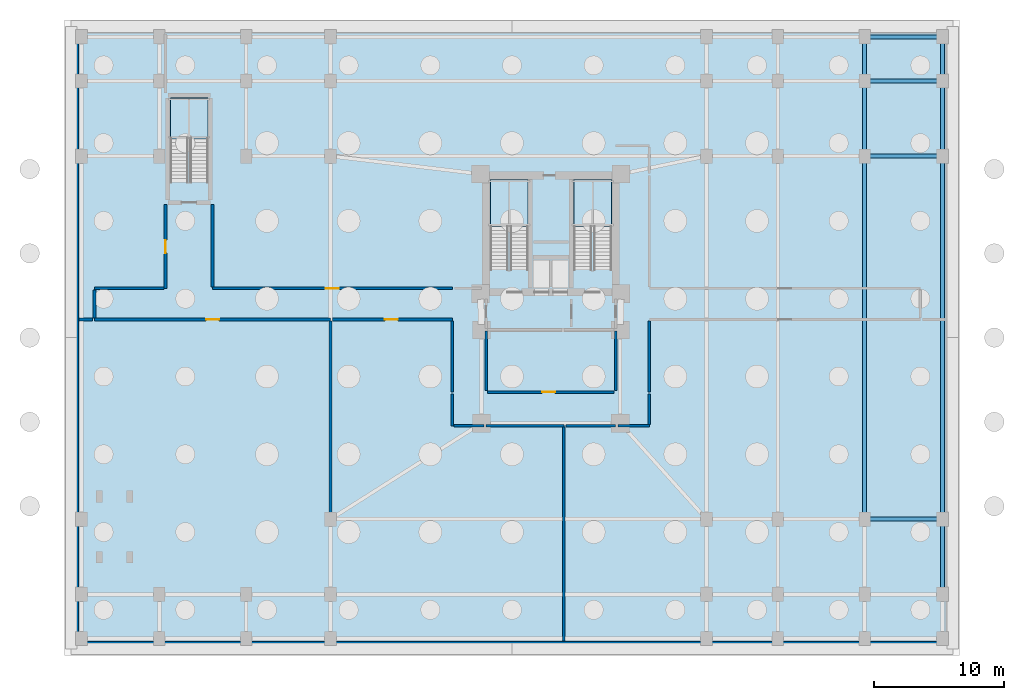
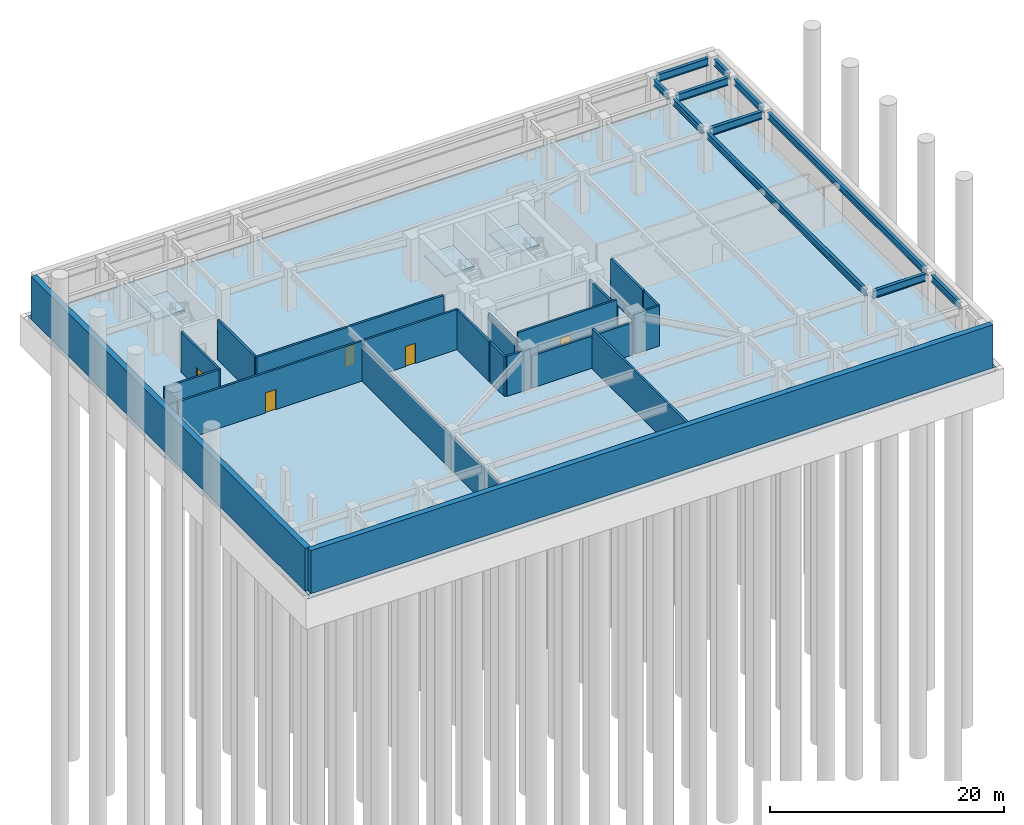
# One storey, part 3 of 7: 23 walls, 11 beams, 5 doors, 4 slabs, 5 openings, 3 elements without a shape of their own.
"""IFC4 building model written with IfcOpenShell, lengths in metres."""

from ifc_helpers import new_model, si_unit, direction, frame, frame_2d, origin, origin_2d, place, context, subcontext, project, spatial, polyline, rectangle, i_section, outline, extrude, material, layer, layer_set, material_profile, profile_set, type_object, element, fill, aggregate, save


model = new_model("IFC4")

# Units and contexts
model_context = context("Model", 3, precision=1e-05, world=origin(), true_north=direction((0.0, 1.0)))
body_context = subcontext(model_context, "Body", "Model", "MODEL_VIEW")
ifc_project = project(units=[si_unit("LENGTHUNIT", "METRE"), si_unit("AREAUNIT", "SQUARE_METRE"), si_unit("VOLUMEUNIT", "CUBIC_METRE"), si_unit("PLANEANGLEUNIT", "RADIAN"), si_unit("MASSUNIT", "GRAM", prefix="KILO")], contexts=[model_context])

# Site, building, storey
site_placement = place(None, origin())
site = spatial("IfcSite", under=ifc_project, at=site_placement, CompositionType="ELEMENT")
building_placement = place(site_placement, origin())
building = spatial("IfcBuilding", under=site, at=building_placement, Name="Varnakorn Sky Granary", CompositionType="ELEMENT")
storey_placement = place(building_placement, frame((0.0, 0.0, -13.5)))
storey = spatial("IfcBuildingStorey", under=building, at=storey_placement, Name="B03", CompositionType="ELEMENT", Elevation=-13.5)

# Beams
ifc_material_1 = material(Name="Steel S355JR", Category="steel")
ifc_material_profile_1 = material_profile(ifc_material_1, i_section(OverallWidth=0.300048828125, OverallDepth=0.699951171875, WebThickness=0.01708984375, FlangeThickness=0.031982421875, at=origin_2d()), Name="HE 700 B")
ifc_profile_set_1 = profile_set([ifc_material_profile_1], Name="Steel S355JR")
beam_type_1 = type_object("IfcBeamType", Name="BM-PG-700", PredefinedType="T_BEAM", material=ifc_profile_set_1)
beam_1_placement = place(storey_placement, frame((27.199951171875, -13.580078125, 3.830078125), z_axis=(0.0, 1.0, 0.0), x_axis=(-1.0, 0.0, 0.0)))
element("IfcBeam", 1, at=beam_1_placement, inside=storey, type_object=beam_type_1, Name="Podium Y-Girder GY67 B03", PredefinedType="T_BEAM", context=body_context, shape_type="SweptSolid", body=[
    extrude(i_section(OverallWidth=0.300048828125, OverallDepth=0.699951171875, WebThickness=0.01708984375, FlangeThickness=0.031982421875, at=origin_2d()), origin(), (0.0, 0.0, 1.0), 27.16015625),
])
beam_2_placement = place(storey_placement, frame((27.199951171875, 14.419921875, 3.830078125), z_axis=(0.0, 1.0, 0.0), x_axis=(-1.0, 0.0, 0.0)))
element("IfcBeam", 2, at=beam_2_placement, inside=storey, type_object=beam_type_1, Name="Podium Y-Girder GY68 B03", PredefinedType="T_BEAM", context=body_context, shape_type="SweptSolid", body=[
    extrude(i_section(OverallWidth=0.300048828125, OverallDepth=0.699951171875, WebThickness=0.01708984375, FlangeThickness=0.031982421875, at=origin_2d()), origin(), (0.0, 0.0, 1.0), 4.9599609375),
])
beam_3_placement = place(storey_placement, frame((27.199951171875, 20.219970703125, 3.830078125), z_axis=(0.0, 1.0, 0.0), x_axis=(-1.0, 0.0, 0.0)))
element("IfcBeam", 3, at=beam_3_placement, inside=storey, type_object=beam_type_1, Name="Podium Y-Girder GY69 B03", PredefinedType="T_BEAM", context=body_context, shape_type="SweptSolid", body=[
    extrude(i_section(OverallWidth=0.300048828125, OverallDepth=0.699951171875, WebThickness=0.01708984375, FlangeThickness=0.031982421875, at=origin_2d()), origin(), (0.0, 0.0, 1.0), 2.56005859375),
])
beam_4_placement = place(storey_placement, frame((33.199951171875, -19.3798828125, 3.830078125), z_axis=(0.0, 1.0, 0.0), x_axis=(-1.0, 0.0, 0.0)))
element("IfcBeam", 4, at=beam_4_placement, inside=storey, type_object=beam_type_1, Name="Podium Y-Girder GY71 B03", PredefinedType="T_BEAM", context=body_context, shape_type="SweptSolid", body=[
    extrude(i_section(OverallWidth=0.300048828125, OverallDepth=0.699951171875, WebThickness=0.01708984375, FlangeThickness=0.031982421875, at=origin_2d()), origin(), (0.0, 0.0, 1.0), 4.9599609375),
])
beam_5_placement = place(storey_placement, frame((33.199951171875, -13.580078125, 3.830078125), z_axis=(0.0, 1.0, 0.0), x_axis=(-1.0, 0.0, 0.0)))
element("IfcBeam", 5, at=beam_5_placement, inside=storey, type_object=beam_type_1, Name="Podium Y-Girder GY72 B03", PredefinedType="T_BEAM", context=body_context, shape_type="SweptSolid", body=[
    extrude(i_section(OverallWidth=0.300048828125, OverallDepth=0.699951171875, WebThickness=0.01708984375, FlangeThickness=0.031982421875, at=origin_2d()), origin(), (0.0, 0.0, 1.0), 27.16015625),
])
beam_6_placement = place(storey_placement, frame((33.199951171875, 14.419921875, 3.830078125), z_axis=(0.0, 1.0, 0.0), x_axis=(-1.0, 0.0, 0.0)))
element("IfcBeam", 6, at=beam_6_placement, inside=storey, type_object=beam_type_1, Name="Podium Y-Girder GY73 B03", PredefinedType="T_BEAM", context=body_context, shape_type="SweptSolid", body=[
    extrude(i_section(OverallWidth=0.300048828125, OverallDepth=0.699951171875, WebThickness=0.01708984375, FlangeThickness=0.031982421875, at=origin_2d()), origin(), (0.0, 0.0, 1.0), 4.9599609375),
])
beam_7_placement = place(storey_placement, frame((33.199951171875, 20.219970703125, 3.830078125), z_axis=(0.0, 1.0, 0.0), x_axis=(-1.0, 0.0, 0.0)))
element("IfcBeam", 7, at=beam_7_placement, inside=storey, type_object=beam_type_1, Name="Podium Y-Girder GY74 B03", PredefinedType="T_BEAM", context=body_context, shape_type="SweptSolid", body=[
    extrude(i_section(OverallWidth=0.300048828125, OverallDepth=0.699951171875, WebThickness=0.01708984375, FlangeThickness=0.031982421875, at=origin_2d()), origin(), (0.0, 0.0, 1.0), 2.56005859375),
])
ifc_material_profile_2 = material_profile(ifc_material_1, i_section(OverallWidth=0.300048828125, OverallDepth=0.800048828125, WebThickness=0.017578125, FlangeThickness=0.032958984375, at=origin_2d()), Name="HE 800 B")
ifc_profile_set_2 = profile_set([ifc_material_profile_2], Name="Steel S355JR")
beam_type_2 = type_object("IfcBeamType", Name="BM-PG-800", PredefinedType="BEAM", material=ifc_profile_set_2)
for number, where, z_axis, x_axis, name in (
    (8, (27.6201171875, -14.0, 3.780029296875), (1.0, 0.0, 0.0), (0.0, 1.0, 0.0), "Podium X-Girder GX18 B03"),
    (9, (27.6201171875, 14.0, 3.780029296875), (1.0, 0.0, 0.0), (0.0, 1.0, 0.0), "Podium X-Girder GX24 B03"),
    (10, (27.6201171875, 19.800048828125, 3.780029296875), (1.0, 0.0, 0.0), (0.0, 1.0, 0.0), "Podium X-Girder GX31 B03"),
    (11, (27.6201171875, 23.199951171875, 3.780029296875), (1.0, 0.0, 0.0), (0.0, 1.0, 0.0), "Podium X-Girder GX38 B03"),
):
    element("IfcBeam", number, at=place(storey_placement, frame(where, z_axis=z_axis, x_axis=x_axis)), inside=storey, type_object=beam_type_2, Name=name, PredefinedType="BEAM", context=body_context, shape_type="SweptSolid", body=[
        extrude(i_section(OverallWidth=0.300048828125, OverallDepth=0.800048828125, WebThickness=0.017578125, FlangeThickness=0.032958984375, at=origin_2d()), origin(), (0.0, 0.0, 1.0), 5.159912109375),
    ])

# Stair, slab
ifc_material_2 = material(Name="Concrete C40/50", Category="concrete")
stair_type = type_object("IfcStairType", Name="ST-MAIN-ASSEMBLY", PredefinedType="HALF_TURN_STAIR", material=ifc_material_2)
stair_1_placement = place(storey_placement, origin())
stair_1 = element("IfcStair", 12, at=stair_1_placement, inside=storey, type_object=stair_type, Name="B03 Protected Exit Stair ST-1", PredefinedType="HALF_TURN_STAIR")
ifc_layer_1 = layer(ifc_material_2, 0.199951171875, Name="Concrete C40/50")
ifc_layer_set_1 = layer_set([ifc_layer_1], Name="Concrete C40/50")
slab_type_1 = type_object("IfcSlabType", Name="ST-MAIN-LAND", PredefinedType="LANDING", material=ifc_layer_set_1)
slab_1_placement = place(storey_placement, frame((0.0, 0.0, 2.050048828125)))
slab_1 = element("IfcSlab", 13, at=slab_1_placement, type_object=slab_type_1, Name="ST-1 landing 1", PredefinedType="LANDING", context=body_context, shape_type="SweptSolid", body=[
    extrude(outline(polyline([(1.239990234375, 8.56005859375), (1.239990234375, 12.179931640625), (-1.669921875, 12.179931640625), (-1.669921875, 8.56005859375), (1.239990234375, 8.56005859375)])), origin(), (0.0, 0.0, 1.0), 0.199951171875),
])
aggregate(stair_1, [slab_1])

stair_2_placement = place(storey_placement, origin())
stair_2 = element("IfcStair", 14, at=stair_2_placement, inside=storey, type_object=stair_type, Name="B03 Protected Exit Stair ST-2", PredefinedType="HALF_TURN_STAIR")
slab_2_placement = place(storey_placement, frame((0.0, 0.0, 2.050048828125)))
slab_2 = element("IfcSlab", 15, at=slab_2_placement, type_object=slab_type_1, Name="ST-2 landing 1", PredefinedType="LANDING", context=body_context, shape_type="SweptSolid", body=[
    extrude(outline(polyline([(7.679931640625, 8.56005859375), (7.679931640625, 12.179931640625), (4.77001953125, 12.179931640625), (4.77001953125, 8.56005859375), (7.679931640625, 8.56005859375)])), origin(), (0.0, 0.0, 1.0), 0.199951171875),
])
aggregate(stair_2, [slab_2])

stair_3_placement = place(storey_placement, origin())
stair_3 = element("IfcStair", 16, at=stair_3_placement, inside=storey, type_object=stair_type, Name="B03 Podium and Basement Protected Exit Stair ST-B3", PredefinedType="HALF_TURN_STAIR")
slab_3_placement = place(storey_placement, frame((0.0, 0.0, 2.050048828125)))
slab_3 = element("IfcSlab", 17, at=slab_3_placement, type_object=slab_type_1, Name="ST-B3 landing 1", PredefinedType="LANDING", context=body_context, shape_type="SweptSolid", body=[
    extrude(outline(polyline([(-23.449951171875, 15.340087890625), (-23.449951171875, 18.5), (-26.360107421875, 18.5), (-26.360107421875, 15.340087890625), (-23.449951171875, 15.340087890625)])), origin(), (0.0, 0.0, 1.0), 0.199951171875),
])
aggregate(stair_3, [slab_3])

# Slab
ifc_material_3 = material(Name="Concrete C50/60", Category="concrete")
ifc_layer_2 = layer(ifc_material_3, 0.5, Name="Concrete C50/60")
ifc_layer_set_2 = layer_set([ifc_layer_2], Name="Concrete C50/60")
slab_type_2 = type_object("IfcSlabType", Name="ST-SL-BASE-500", PredefinedType="BASESLAB", material=ifc_layer_set_2)
slab_4_placement = place(storey_placement, frame((0.0, 0.0, -0.5)))
element("IfcSlab", 18, at=slab_4_placement, inside=storey, type_object=slab_type_2, Name="Level B03 Structural Floor Slab", PredefinedType="FLOOR", context=body_context, shape_type="SweptSolid", body=[
    extrude(outline(polyline([(-34.0, -24.0), (34.0, -24.0), (34.0, 24.0), (-34.0, 24.0), (-34.0, -24.0)])), origin(), (0.0, 0.0, 1.0), 0.5),
])

# Wall, opening, door
ifc_material_4 = material(Name="Autoclaved Aerated Concrete Blockwork", Category="masonry")
ifc_layer_3 = layer(ifc_material_4, 0.199951171875, Name="Autoclaved Aerated Concrete Blockwork")
ifc_layer_set_3 = layer_set([ifc_layer_3], Name="Autoclaved Aerated Concrete Blockwork")
wall_type_1 = type_object("IfcWallType", Name="WT-FIRE-200", PredefinedType="MOVABLE", material=ifc_layer_set_3)
wall_1_placement = place(storey_placement, frame((-1.8798828125, -4.199951171875, 0.0), z_axis=(0.0, 0.0, 1.0), x_axis=(1.0, 0.0, 0.0)))
wall_1 = element("IfcWall", 19, at=wall_1_placement, inside=storey, type_object=wall_type_1, Name="Interior Partition Wall B03-007", PredefinedType="MOVABLE", context=body_context, shape_type="SweptSolid", body=[
    extrude(rectangle(XDim=9.759765625, YDim=0.199951171875, at=frame_2d((4.8798828125, 0.0))), origin(), (0.0, 0.0, 1.0), 4.179931640625),
])
opening_1_placement = place(wall_1_placement, frame((4.199951171875, 0.0, 0.0)))
opening_1 = element("IfcOpeningElement", 20, at=opening_1_placement, cuts=wall_1, Name="Opening FD-60", PredefinedType="OPENING", context=body_context, shape_type="SweptSolid", body=[
    extrude(rectangle(XDim=1.0, YDim=2.10009765625, at=frame_2d((0.5, 1.050048828125))), frame((0.0, 0.10986328125, 0.0), z_axis=(0.0, -1.0, 0.0), x_axis=(1.0, 0.0, 0.0)), (0.0, 0.0, 1.0), 0.219970703125),
])
ifc_material_5 = material(Name="Acoustic Timber Fire Leaf", Category="wood")
door_type = type_object("IfcDoorType", Name="DR-FD60-1000", OperationType="NOTDEFINED", PredefinedType="DOOR", material=ifc_material_5)
door_1_placement = place(opening_1_placement, origin())
door_1 = element("IfcDoor", 21, at=door_1_placement, inside=storey, type_object=door_type, Name="Interior Door B03-007-1", OperationType="SINGLE_SWING_RIGHT", OverallHeight=2.10009765625, OverallWidth=1.0, PredefinedType="DOOR", context=body_context, shape_type="SweptSolid", body=[
    extrude(rectangle(XDim=1.0, YDim=2.10009765625, at=frame_2d((0.5, 1.050048828125))), frame((0.0, 0.02490234375, 0.0), z_axis=(0.0, -1.0, 0.0), x_axis=(1.0, 0.0, 0.0)), (0.0, 0.0, 1.0), 0.050048828125),
])
fill(opening_1, door_1)

wall_2_placement = place(storey_placement, frame((-32.199951171875, 1.39990234375, 0.0), z_axis=(0.0, 0.0, 1.0), x_axis=(1.0, 0.0, 0.0)))
wall_2 = element("IfcWall", 22, at=wall_2_placement, inside=storey, type_object=wall_type_1, Name="Interior Partition Wall B03-008", PredefinedType="MOVABLE", context=body_context, shape_type="SweptSolid", body=[
    extrude(rectangle(XDim=18.199951171875, YDim=0.199951171875, at=frame_2d((9.10009765625, 0.0))), origin(), (0.0, 0.0, 1.0), 4.179931640625),
])
opening_2_placement = place(wall_2_placement, frame((8.60009765625, 0.0, 0.0)))
opening_2 = element("IfcOpeningElement", 23, at=opening_2_placement, cuts=wall_2, Name="Opening FD-60", PredefinedType="OPENING", context=body_context, shape_type="SweptSolid", body=[
    extrude(rectangle(XDim=1.0, YDim=2.10009765625, at=frame_2d((0.5, 1.050048828125))), frame((0.0, 0.10986328125, 0.0), z_axis=(0.0, -1.0, 0.0), x_axis=(1.0, 0.0, 0.0)), (0.0, 0.0, 1.0), 0.219970703125),
])
door_2_placement = place(opening_2_placement, origin())
door_2 = element("IfcDoor", 24, at=door_2_placement, inside=storey, type_object=door_type, Name="Interior Door B03-008-1", OperationType="SINGLE_SWING_LEFT", OverallHeight=2.10009765625, OverallWidth=1.0, PredefinedType="DOOR", context=body_context, shape_type="SweptSolid", body=[
    extrude(rectangle(XDim=1.0, YDim=2.10009765625, at=frame_2d((0.5, 1.050048828125))), frame((0.0, 0.02490234375, 0.0), z_axis=(0.0, -1.0, 0.0), x_axis=(1.0, 0.0, 0.0)), (0.0, 0.0, 1.0), 0.050048828125),
])
fill(opening_2, door_2)

wall_3_placement = place(storey_placement, frame((-13.840087890625, 1.39990234375, 0.0), z_axis=(0.0, 0.0, 1.0), x_axis=(1.0, 0.0, 0.0)))
wall_3 = element("IfcWall", 25, at=wall_3_placement, inside=storey, type_object=wall_type_1, Name="Interior Partition Wall B03-009", PredefinedType="MOVABLE", context=body_context, shape_type="SweptSolid", body=[
    extrude(rectangle(XDim=9.239990234375, YDim=0.199951171875, at=frame_2d((4.6201171875, 0.0))), origin(), (0.0, 0.0, 1.0), 4.179931640625),
])
opening_3_placement = place(wall_3_placement, frame((4.0400390625, 0.0, 0.0)))
opening_3 = element("IfcOpeningElement", 26, at=opening_3_placement, cuts=wall_3, Name="Opening FD-60", PredefinedType="OPENING", context=body_context, shape_type="SweptSolid", body=[
    extrude(rectangle(XDim=1.0, YDim=2.10009765625, at=frame_2d((0.5, 1.050048828125))), frame((0.0, 0.10986328125, 0.0), z_axis=(0.0, -1.0, 0.0), x_axis=(1.0, 0.0, 0.0)), (0.0, 0.0, 1.0), 0.219970703125),
])
door_3_placement = place(opening_3_placement, origin())
door_3 = element("IfcDoor", 27, at=door_3_placement, inside=storey, type_object=door_type, Name="Interior Door B03-009-1", OperationType="SINGLE_SWING_RIGHT", OverallHeight=2.10009765625, OverallWidth=1.0, PredefinedType="DOOR", context=body_context, shape_type="SweptSolid", body=[
    extrude(rectangle(XDim=1.0, YDim=2.10009765625, at=frame_2d((0.5, 1.050048828125))), frame((0.0, 0.02490234375, 0.0), z_axis=(0.0, -1.0, 0.0), x_axis=(1.0, 0.0, 0.0)), (0.0, 0.0, 1.0), 0.050048828125),
])
fill(opening_3, door_3)

wall_4_placement = place(storey_placement, frame((-26.72998046875, 10.25, 0.0), z_axis=(0.0, 0.0, 1.0), x_axis=(0.0, -1.0, 0.0)))
wall_4 = element("IfcWall", 28, at=wall_4_placement, inside=storey, type_object=wall_type_1, Name="Interior Partition Wall B03-011", PredefinedType="MOVABLE", context=body_context, shape_type="SweptSolid", body=[
    extrude(rectangle(XDim=6.449951171875, YDim=0.199951171875, at=frame_2d((3.22509765625, 0.0))), origin(), (0.0, 0.0, 1.0), 4.179931640625),
])
opening_4_placement = place(wall_4_placement, frame((2.72509765625, 0.0, 0.0)))
opening_4 = element("IfcOpeningElement", 29, at=opening_4_placement, cuts=wall_4, Name="Opening FD-60", PredefinedType="OPENING", context=body_context, shape_type="SweptSolid", body=[
    extrude(rectangle(XDim=1.0, YDim=2.10009765625, at=frame_2d((0.5, 1.050048828125))), frame((0.0, 0.10986328125, 0.0), z_axis=(0.0, -1.0, 0.0), x_axis=(1.0, 0.0, 0.0)), (0.0, 0.0, 1.0), 0.219970703125),
])
door_4_placement = place(opening_4_placement, origin())
door_4 = element("IfcDoor", 30, at=door_4_placement, inside=storey, type_object=door_type, Name="Interior Door B03-011-1", OperationType="SINGLE_SWING_RIGHT", OverallHeight=2.10009765625, OverallWidth=1.0, PredefinedType="DOOR", context=body_context, shape_type="SweptSolid", body=[
    extrude(rectangle(XDim=1.0, YDim=2.10009765625, at=frame_2d((0.5, 1.050048828125))), frame((0.0, 0.02490234375, 0.0), z_axis=(0.0, -1.0, 0.0), x_axis=(1.0, 0.0, 0.0)), (0.0, 0.0, 1.0), 0.050048828125),
])
fill(opening_4, door_4)

wall_5_placement = place(storey_placement, frame((-4.60009765625, 3.800048828125, 0.0), z_axis=(0.0, 0.0, 1.0), x_axis=(-1.0, 0.0, 0.0)))
wall_5 = element("IfcWall", 31, at=wall_5_placement, inside=storey, type_object=wall_type_1, Name="Interior Partition Wall B03-012", PredefinedType="MOVABLE", context=body_context, shape_type="SweptSolid", body=[
    extrude(rectangle(XDim=18.5, YDim=0.199951171875, at=frame_2d((9.25, 0.0))), origin(), (0.0, 0.0, 1.0), 4.179931640625),
])
opening_5_placement = place(wall_5_placement, frame((8.75, 0.0, 0.0)))
opening_5 = element("IfcOpeningElement", 32, at=opening_5_placement, cuts=wall_5, Name="Opening FD-60", PredefinedType="OPENING", context=body_context, shape_type="SweptSolid", body=[
    extrude(rectangle(XDim=1.0, YDim=2.10009765625, at=frame_2d((0.5, 1.050048828125))), frame((0.0, 0.10986328125, 0.0), z_axis=(0.0, -1.0, 0.0), x_axis=(1.0, 0.0, 0.0)), (0.0, 0.0, 1.0), 0.219970703125),
])
door_5_placement = place(opening_5_placement, origin())
door_5 = element("IfcDoor", 33, at=door_5_placement, inside=storey, type_object=door_type, Name="Interior Door B03-012-1", OperationType="SINGLE_SWING_LEFT", OverallHeight=2.10009765625, OverallWidth=1.0, PredefinedType="DOOR", context=body_context, shape_type="SweptSolid", body=[
    extrude(rectangle(XDim=1.0, YDim=2.10009765625, at=frame_2d((0.5, 1.050048828125))), frame((0.0, 0.02490234375, 0.0), z_axis=(0.0, -1.0, 0.0), x_axis=(1.0, 0.0, 0.0)), (0.0, 0.0, 1.0), 0.050048828125),
])
fill(opening_5, door_5)

# Walls
for number, where, z_axis, x_axis, name in (
    (34, (-2.0, -4.090087890625, 0.0), (0.0, 0.0, 1.0), (0.0, 1.0, 0.0), "Interior Partition Wall B03-015"),
    (35, (8.0, -4.090087890625, 0.0), (0.0, 0.0, 1.0), (0.0, 1.0, 0.0), "Interior Partition Wall B03-016"),
):
    element("IfcWall", number, at=place(storey_placement, frame(where, z_axis=z_axis, x_axis=x_axis)), inside=storey, type_object=wall_type_1, Name=name, PredefinedType="MOVABLE", context=body_context, shape_type="SweptSolid", body=[
        extrude(rectangle(XDim=4.590087890625, YDim=0.199951171875, at=frame_2d((2.294921875, 0.0))), origin(), (0.0, 0.0, 1.0), 3.362060546875),
    ])
wall_6_placement = place(storey_placement, frame((-2.0, -6.800048828125, 0.0), z_axis=(0.0, 0.0, 1.0), x_axis=(1.0, 0.0, 0.0)))
element("IfcWall", 36, at=wall_6_placement, inside=storey, type_object=wall_type_1, Name="Interior Partition Wall B03-017", PredefinedType="MOVABLE", context=body_context, shape_type="SweptSolid", body=[
    extrude(rectangle(XDim=6.0, YDim=0.199951171875, at=frame_2d((3.0, 0.0))), origin(), (0.0, 0.0, 1.0), 3.362060546875),
])
wall_7_placement = place(storey_placement, frame((-4.60009765625, 1.2900390625, 0.0), z_axis=(0.0, 0.0, 1.0), x_axis=(0.0, -1.0, 0.0)))
element("IfcWall", 37, at=wall_7_placement, inside=storey, type_object=wall_type_1, Name="Interior Partition Wall B03-018", PredefinedType="MOVABLE", context=body_context, shape_type="SweptSolid", body=[
    extrude(rectangle(XDim=5.489990234375, YDim=0.199951171875, at=frame_2d((2.7451171875, 0.0))), origin(), (0.0, 0.0, 1.0), 4.179931640625),
])
wall_8_placement = place(storey_placement, frame((-4.60009765625, -4.360107421875, 0.0), z_axis=(0.0, 0.0, 1.0), x_axis=(0.0, -1.0, 0.0)))
element("IfcWall", 38, at=wall_8_placement, inside=storey, type_object=wall_type_1, Name="Interior Partition Wall B03-019", PredefinedType="MOVABLE", context=body_context, shape_type="SweptSolid", body=[
    extrude(rectangle(XDim=2.43994140625, YDim=0.199951171875, at=frame_2d((1.219970703125, 0.0))), origin(), (0.0, 0.0, 1.0), 4.179931640625),
])
wall_9_placement = place(storey_placement, frame((-4.489990234375, -6.800048828125, 0.0), z_axis=(0.0, 0.0, 1.0), x_axis=(1.0, 0.0, 0.0)))
element("IfcWall", 39, at=wall_9_placement, inside=storey, type_object=wall_type_1, Name="Interior Partition Wall B03-020", PredefinedType="MOVABLE", context=body_context, shape_type="SweptSolid", body=[
    extrude(rectangle(XDim=2.330078125, YDim=0.199951171875, at=frame_2d((1.1650390625, 0.0))), origin(), (0.0, 0.0, 1.0), 4.179931640625),
])
wall_10_placement = place(storey_placement, frame((10.60009765625, -4.199951171875, 0.0), z_axis=(0.0, 0.0, 1.0), x_axis=(0.0, 1.0, 0.0)))
element("IfcWall", 40, at=wall_10_placement, inside=storey, type_object=wall_type_1, Name="Interior Partition Wall B03-021", PredefinedType="MOVABLE", context=body_context, shape_type="SweptSolid", body=[
    extrude(rectangle(XDim=5.489990234375, YDim=0.199951171875, at=frame_2d((2.7451171875, 0.0))), origin(), (0.0, 0.0, 1.0), 4.179931640625),
])
wall_11_placement = place(storey_placement, frame((4.159912109375, -6.800048828125, 0.0), z_axis=(0.0, 0.0, 1.0), x_axis=(1.0, 0.0, 0.0)))
element("IfcWall", 41, at=wall_11_placement, inside=storey, type_object=wall_type_1, Name="Interior Partition Wall B03-022", PredefinedType="MOVABLE", context=body_context, shape_type="SweptSolid", body=[
    extrude(rectangle(XDim=3.840087890625, YDim=0.199951171875, at=frame_2d((1.919921875, 0.0))), origin(), (0.0, 0.0, 1.0), 3.362060546875),
])
wall_12_placement = place(storey_placement, frame((8.159912109375, -6.800048828125, 0.0), z_axis=(0.0, 0.0, 1.0), x_axis=(1.0, 0.0, 0.0)))
element("IfcWall", 42, at=wall_12_placement, inside=storey, type_object=wall_type_1, Name="Interior Partition Wall B03-023", PredefinedType="MOVABLE", context=body_context, shape_type="SweptSolid", body=[
    extrude(rectangle(XDim=2.440185546875, YDim=0.199951171875, at=frame_2d((1.22021484375, 0.0))), origin(), (0.0, 0.0, 1.0), 4.179931640625),
])
wall_13_placement = place(storey_placement, frame((10.60009765625, -6.68994140625, 0.0), z_axis=(0.0, 0.0, 1.0), x_axis=(0.0, 1.0, 0.0)))
element("IfcWall", 43, at=wall_13_placement, inside=storey, type_object=wall_type_1, Name="Interior Partition Wall B03-024", PredefinedType="MOVABLE", context=body_context, shape_type="SweptSolid", body=[
    extrude(rectangle(XDim=2.329833984375, YDim=0.199951171875, at=frame_2d((1.1650390625, 0.0))), origin(), (0.0, 0.0, 1.0), 4.179931640625),
])
wall_14_placement = place(storey_placement, frame((-26.840087890625, 3.800048828125, 0.0), z_axis=(0.0, 0.0, 1.0), x_axis=(-1.0, 0.0, 0.0)))
element("IfcWall", 44, at=wall_14_placement, inside=storey, type_object=wall_type_1, Name="Interior Partition Wall B03-025", PredefinedType="MOVABLE", context=body_context, shape_type="SweptSolid", body=[
    extrude(rectangle(XDim=5.35986328125, YDim=0.199951171875, at=frame_2d((2.679931640625, 0.0))), origin(), (0.0, 0.0, 1.0), 4.179931640625),
])
wall_15_placement = place(storey_placement, frame((-32.199951171875, 3.68994140625, 0.0), z_axis=(0.0, 0.0, 1.0), x_axis=(0.0, -1.0, 0.0)))
element("IfcWall", 45, at=wall_15_placement, inside=storey, type_object=wall_type_1, Name="Interior Partition Wall B03-026", PredefinedType="MOVABLE", context=body_context, shape_type="SweptSolid", body=[
    extrude(rectangle(XDim=2.179931640625, YDim=0.199951171875, at=frame_2d((1.08984375, 0.0))), origin(), (0.0, 0.0, 1.0), 4.179931640625),
])
wall_16_placement = place(storey_placement, frame((-23.10009765625, 3.909912109375, 0.0), z_axis=(0.0, 0.0, 1.0), x_axis=(0.0, 1.0, 0.0)))
element("IfcWall", 46, at=wall_16_placement, inside=storey, type_object=wall_type_1, Name="Interior Partition Wall B03-027", PredefinedType="MOVABLE", context=body_context, shape_type="SweptSolid", body=[
    extrude(rectangle(XDim=6.340087890625, YDim=0.199951171875, at=frame_2d((3.169921875, 0.0))), origin(), (0.0, 0.0, 1.0), 4.179931640625),
])
wall_17_placement = place(storey_placement, frame((-14.0, 1.2900390625, 0.0), z_axis=(0.0, 0.0, 1.0), x_axis=(0.0, -1.0, 0.0)))
element("IfcWall", 47, at=wall_17_placement, inside=storey, type_object=wall_type_1, Name="Interior Partition Wall B03-033", PredefinedType="MOVABLE", context=body_context, shape_type="SweptSolid", body=[
    extrude(rectangle(XDim=24.705078125, YDim=0.199951171875, at=frame_2d((12.3525390625, 0.0))), origin(), (0.0, 0.0, 1.0), 3.4619140625),
])
wall_18_placement = place(storey_placement, frame((-33.4150390625, 1.39990234375, 0.0), z_axis=(0.0, 0.0, 1.0), x_axis=(1.0, 0.0, 0.0)))
element("IfcWall", 48, at=wall_18_placement, inside=storey, type_object=wall_type_1, Name="Interior Partition Wall B03-034", PredefinedType="MOVABLE", context=body_context, shape_type="SweptSolid", body=[
    extrude(rectangle(XDim=1.054931640625, YDim=0.199951171875, at=frame_2d((0.52734375, 0.0))), origin(), (0.0, 0.0, 1.0), 4.179931640625),
])
wall_19_placement = place(storey_placement, frame((4.0, -6.909912109375, 0.0), z_axis=(0.0, 0.0, 1.0), x_axis=(0.0, -1.0, 0.0)))
element("IfcWall", 49, at=wall_19_placement, inside=storey, type_object=wall_type_1, Name="Interior Partition Wall B03-035", PredefinedType="MOVABLE", context=body_context, shape_type="SweptSolid", body=[
    extrude(rectangle(XDim=16.505126953125, YDim=0.199951171875, at=frame_2d((8.25244140625, 0.0))), origin(), (0.0, 0.0, 1.0), 4.179931640625),
])
ifc_layer_4 = layer(ifc_material_3, 0.550048828125, Name="Concrete C50/60")
ifc_layer_set_4 = layer_set([ifc_layer_4], Name="Concrete C50/60")
wall_type_2 = type_object("IfcWallType", Name="WT-RW-BSMT-550", PredefinedType="SOLIDWALL", material=ifc_layer_set_4)
wall_20_placement = place(storey_placement, frame((-33.72509765625, -23.72509765625, 0.0), z_axis=(0.0, 0.0, 1.0), x_axis=(1.0, 0.0, 0.0)))
element("IfcWall", 50, at=wall_20_placement, inside=storey, type_object=wall_type_2, Name="Basement Perimeter Retaining Wall B03-S", PredefinedType="SOLIDWALL", context=body_context, shape_type="SweptSolid", body=[
    extrude(rectangle(XDim=67.4501953125, YDim=0.550048828125, at=frame_2d((33.72509765625, 0.0))), origin(), (0.0, 0.0, 1.0), 4.491943359375),
])
wall_21_placement = place(storey_placement, frame((-33.72509765625, -23.43994140625, 0.0), z_axis=(0.0, 0.0, 1.0), x_axis=(0.0, 1.0, 0.0)))
element("IfcWall", 51, at=wall_21_placement, inside=storey, type_object=wall_type_2, Name="Basement Perimeter Retaining Wall B03-W", PredefinedType="SOLIDWALL", context=body_context, shape_type="SweptSolid", body=[
    extrude(rectangle(XDim=46.8798828125, YDim=0.550048828125, at=frame_2d((23.43994140625, 0.0))), origin(), (0.0, 0.0, 1.0), 4.491943359375),
])

save(model, "model.ifc")
